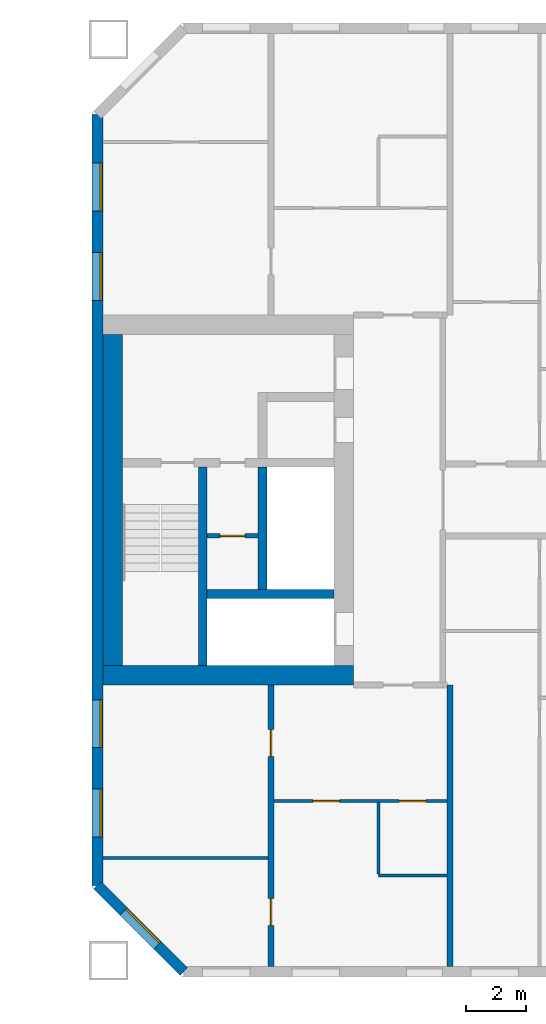
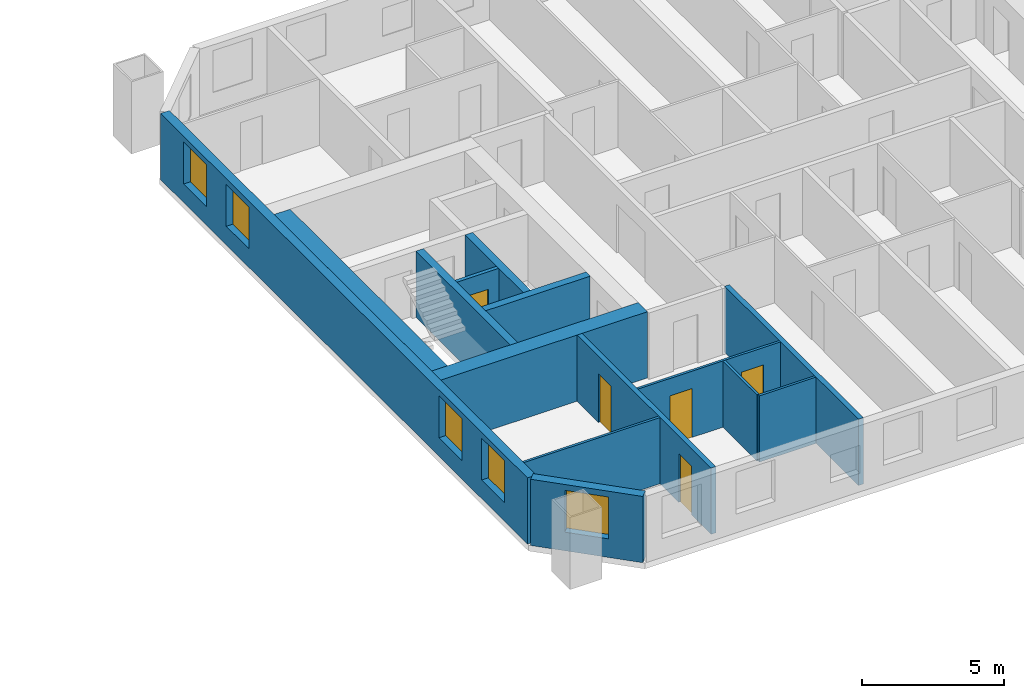
# One storey, part 9 of 17: 14 walls, 5 doors, 5 windows, 10 openings.
"""IFC4 building model written with IfcOpenShell, lengths in metres."""

from ifc_helpers import new_model, si_unit, direction, frame, frame_2d, origin, place, context, subcontext, project, spatial, rectangle, extrude, material, layer, layer_set, type_object, element, fill, save


model = new_model("IFC4")

# Units and contexts
model_context = context("Model", 3, precision=1e-05, world=origin(), true_north=direction((0.0, 1.0)))
body_context = subcontext(model_context, "Body", "Model", "MODEL_VIEW")
ifc_project = project(units=[si_unit("LENGTHUNIT", "METRE"), si_unit("AREAUNIT", "SQUARE_METRE"), si_unit("VOLUMEUNIT", "CUBIC_METRE"), si_unit("PLANEANGLEUNIT", "RADIAN"), si_unit("MASSUNIT", "GRAM", prefix="KILO")], contexts=[model_context])

# Site, building, storey
site_placement = place(None, origin())
site = spatial("IfcSite", under=ifc_project, at=site_placement, CompositionType="ELEMENT")
building_placement = place(site_placement, origin())
building = spatial("IfcBuilding", under=site, at=building_placement, Name="Tuart Gate Housing", CompositionType="ELEMENT")
storey_placement = place(building_placement, frame((0.0, 0.0, 102.60009765625)))
storey = spatial("IfcBuildingStorey", under=building, at=storey_placement, Name="L28", CompositionType="ELEMENT", Elevation=102.60009765625)

# Wall, opening, window
ifc_material_1 = material(Name="Brick", Category="masonry")
ifc_layer_1 = layer(ifc_material_1, 0.360107421875)
ifc_layer_set_1 = layer_set([ifc_layer_1], Name="Brick pier and spandrel wall 360")
wall_type_1 = type_object("IfcWallType", Name="Brick pier and spandrel wall 360", PredefinedType="STANDARD", material=ifc_layer_set_1)
wall_1_placement = place(storey_placement, frame((131.179931640625, 57.07470703125, 0.0), z_axis=(0.0, 0.0, 1.0), x_axis=(0.707106781187, -0.707106781187, 0.0)))
wall_1 = element("IfcWall", 1, at=wall_1_placement, inside=storey, type_object=wall_type_1, Name="External wall B-SW L28", PredefinedType="STANDARD", context=body_context, shape_type="SweptSolid", body=[
    extrude(rectangle(XDim=4.09375, YDim=0.360107421875, at=frame_2d((2.046875, 0.0))), origin(), (0.0, 0.0, 1.0), 2.849853515625),
])
opening_1_placement = place(wall_1_placement, frame((1.2470703125, 0.0, 0.800048828125)))
opening_1 = element("IfcOpeningElement", 2, at=opening_1_placement, cuts=wall_1, Name="Opening W1", PredefinedType="OPENING", context=body_context, shape_type="SweptSolid", body=[
    extrude(rectangle(XDim=1.60009765625, YDim=1.800048828125, at=frame_2d((0.800048828125, 0.89990234375))), frame((0.0, 0.18994140625, 0.0), z_axis=(0.0, -1.0, 0.0), x_axis=(1.0, 0.0, 0.0)), (0.0, 0.0, 1.0), 0.380126953125),
])
ifc_material_2 = material(Name="Aluminium frame with clear glass", Category="aluminium")
window_type = type_object("IfcWindowType", Name="Punched window 1600 x 1800", PartitioningType="SINGLE_PANEL", PredefinedType="WINDOW", material=ifc_material_2)
window_1_placement = place(opening_1_placement, origin())
window_1 = element("IfcWindow", 3, at=window_1_placement, inside=storey, type_object=window_type, Name="Window W1", OverallHeight=1.800048828125, OverallWidth=1.60009765625, PartitioningType="SINGLE_PANEL", PredefinedType="WINDOW", context=body_context, shape_type="SweptSolid", body=[
    extrude(rectangle(XDim=1.60009765625, YDim=1.800048828125, at=frame_2d((0.800048828125, 0.89990234375))), frame((0.0, 0.150146484375, 0.0), z_axis=(0.0, -1.0, 0.0), x_axis=(1.0, 0.0, 0.0)), (0.0, 0.0, 1.0), 0.06005859375),
])
fill(opening_1, window_1)

# Wall, openings, windows
wall_2_placement = place(storey_placement, frame((131.179931640625, 82.92529296875, 0.0), z_axis=(0.0, 0.0, 1.0), x_axis=(0.0, -1.0, 0.0)))
wall_2 = element("IfcWall", 4, at=wall_2_placement, inside=storey, type_object=wall_type_1, Name="External wall B-W L28", PredefinedType="STANDARD", context=body_context, shape_type="SweptSolid", body=[
    extrude(rectangle(XDim=25.850830078125, YDim=0.360107421875, at=frame_2d((12.92529296875, 0.0))), origin(), (0.0, 0.0, 1.0), 2.849853515625),
])
opening_2_placement = place(wall_2_placement, frame((1.62548828125, 0.0, 0.800048828125)))
opening_2 = element("IfcOpeningElement", 5, at=opening_2_placement, cuts=wall_2, Name="Opening W1", PredefinedType="OPENING", context=body_context, shape_type="SweptSolid", body=[
    extrude(rectangle(XDim=1.60009765625, YDim=1.800048828125, at=frame_2d((0.800048828125, 0.89990234375))), frame((0.0, 0.18994140625, 0.0), z_axis=(0.0, -1.0, 0.0), x_axis=(1.0, 0.0, 0.0)), (0.0, 0.0, 1.0), 0.380126953125),
])
opening_3_placement = place(wall_2_placement, frame((4.62548828125, 0.0, 0.800048828125)))
opening_3 = element("IfcOpeningElement", 6, at=opening_3_placement, cuts=wall_2, Name="Opening W1", PredefinedType="OPENING", context=body_context, shape_type="SweptSolid", body=[
    extrude(rectangle(XDim=1.60009765625, YDim=1.800048828125, at=frame_2d((0.800048828125, 0.89990234375))), frame((0.0, 0.18994140625, 0.0), z_axis=(0.0, -1.0, 0.0), x_axis=(1.0, 0.0, 0.0)), (0.0, 0.0, 1.0), 0.380126953125),
])
opening_4_placement = place(wall_2_placement, frame((19.62548828125, 0.0, 0.800048828125)))
opening_4 = element("IfcOpeningElement", 7, at=opening_4_placement, cuts=wall_2, Name="Opening W1", PredefinedType="OPENING", context=body_context, shape_type="SweptSolid", body=[
    extrude(rectangle(XDim=1.60009765625, YDim=1.800048828125, at=frame_2d((0.800048828125, 0.89990234375))), frame((0.0, 0.18994140625, 0.0), z_axis=(0.0, -1.0, 0.0), x_axis=(1.0, 0.0, 0.0)), (0.0, 0.0, 1.0), 0.380126953125),
])
opening_5_placement = place(wall_2_placement, frame((22.62548828125, 0.0, 0.800048828125)))
opening_5 = element("IfcOpeningElement", 8, at=opening_5_placement, cuts=wall_2, Name="Opening W1", PredefinedType="OPENING", context=body_context, shape_type="SweptSolid", body=[
    extrude(rectangle(XDim=1.60009765625, YDim=1.800048828125, at=frame_2d((0.800048828125, 0.89990234375))), frame((0.0, 0.18994140625, 0.0), z_axis=(0.0, -1.0, 0.0), x_axis=(1.0, 0.0, 0.0)), (0.0, 0.0, 1.0), 0.380126953125),
])
window_2_placement = place(opening_2_placement, origin())
window_2 = element("IfcWindow", 9, at=window_2_placement, inside=storey, type_object=window_type, Name="Window W1", OverallHeight=1.800048828125, OverallWidth=1.60009765625, PartitioningType="SINGLE_PANEL", PredefinedType="WINDOW", context=body_context, shape_type="SweptSolid", body=[
    extrude(rectangle(XDim=1.60009765625, YDim=1.800048828125, at=frame_2d((0.800048828125, 0.89990234375))), frame((0.0, 0.150146484375, 0.0), z_axis=(0.0, -1.0, 0.0), x_axis=(1.0, 0.0, 0.0)), (0.0, 0.0, 1.0), 0.06005859375),
])
fill(opening_2, window_2)
window_3_placement = place(opening_3_placement, origin())
window_3 = element("IfcWindow", 10, at=window_3_placement, inside=storey, type_object=window_type, Name="Window W1", OverallHeight=1.800048828125, OverallWidth=1.60009765625, PartitioningType="SINGLE_PANEL", PredefinedType="WINDOW", context=body_context, shape_type="SweptSolid", body=[
    extrude(rectangle(XDim=1.60009765625, YDim=1.800048828125, at=frame_2d((0.800048828125, 0.89990234375))), frame((0.0, 0.150146484375, 0.0), z_axis=(0.0, -1.0, 0.0), x_axis=(1.0, 0.0, 0.0)), (0.0, 0.0, 1.0), 0.06005859375),
])
fill(opening_3, window_3)
window_4_placement = place(opening_4_placement, origin())
window_4 = element("IfcWindow", 11, at=window_4_placement, inside=storey, type_object=window_type, Name="Window W1", OverallHeight=1.800048828125, OverallWidth=1.60009765625, PartitioningType="SINGLE_PANEL", PredefinedType="WINDOW", context=body_context, shape_type="SweptSolid", body=[
    extrude(rectangle(XDim=1.60009765625, YDim=1.800048828125, at=frame_2d((0.800048828125, 0.89990234375))), frame((0.0, 0.150146484375, 0.0), z_axis=(0.0, -1.0, 0.0), x_axis=(1.0, 0.0, 0.0)), (0.0, 0.0, 1.0), 0.06005859375),
])
fill(opening_4, window_4)
window_5_placement = place(opening_5_placement, origin())
window_5 = element("IfcWindow", 12, at=window_5_placement, inside=storey, type_object=window_type, Name="Window W1", OverallHeight=1.800048828125, OverallWidth=1.60009765625, PartitioningType="SINGLE_PANEL", PredefinedType="WINDOW", context=body_context, shape_type="SweptSolid", body=[
    extrude(rectangle(XDim=1.60009765625, YDim=1.800048828125, at=frame_2d((0.800048828125, 0.89990234375))), frame((0.0, 0.150146484375, 0.0), z_axis=(0.0, -1.0, 0.0), x_axis=(1.0, 0.0, 0.0)), (0.0, 0.0, 1.0), 0.06005859375),
])
fill(opening_5, window_5)

# Wall, opening, door
ifc_material_3 = material(Name="Plasterboard partition")
ifc_layer_2 = layer(ifc_material_3, 0.14990234375)
ifc_layer_set_2 = layer_set([ifc_layer_2], Name="Core partition 150")
wall_type_2 = type_object("IfcWallType", Name="Core partition 150", PredefinedType="PARTITIONING", material=ifc_layer_set_2)
wall_3_placement = place(storey_placement, frame((136.56005859375, 68.800048828125, 0.0), z_axis=(0.0, 0.0, 1.0), x_axis=(-1.0, 0.0, 0.0)))
wall_3 = element("IfcWall", 13, at=wall_3_placement, inside=storey, type_object=wall_type_2, Name="Core partition BG.2", PredefinedType="PARTITIONING", context=body_context, shape_type="SweptSolid", body=[
    extrude(rectangle(XDim=1.699951171875, YDim=0.14990234375, at=frame_2d((0.85009765625, 0.0))), origin(), (0.0, 0.0, 1.0), 2.849853515625),
])
opening_6_placement = place(wall_3_placement, frame((0.425048828125, 0.0, 0.0)))
opening_6 = element("IfcOpeningElement", 14, at=opening_6_placement, cuts=wall_3, Name="Opening D1155", PredefinedType="OPENING", context=body_context, shape_type="SweptSolid", body=[
    extrude(rectangle(XDim=0.85009765625, YDim=2.10009765625, at=frame_2d((0.425048828125, 1.050048828125))), frame((0.0, 0.0849609375, 0.0), z_axis=(0.0, -1.0, 0.0), x_axis=(1.0, 0.0, 0.0)), (0.0, 0.0, 1.0), 0.169921875),
])
ifc_material_4 = material(Name="Steel fire door", Category="steel")
door_type_1 = type_object("IfcDoorType", Name="Service door 850 x 2100 RH", OperationType="SINGLE_SWING_RIGHT", PredefinedType="DOOR", material=ifc_material_4)
door_1_placement = place(opening_6_placement, frame((0.85009765625, 0.0, 0.0), z_axis=(0.0, 0.0, 1.0), x_axis=(-1.0, 0.0, 0.0)))
door_1 = element("IfcDoor", 15, at=door_1_placement, inside=storey, type_object=door_type_1, Name="Service room door BG.W2", OperationType="SINGLE_SWING_RIGHT", OverallHeight=2.10009765625, OverallWidth=0.85009765625, PredefinedType="DOOR", context=body_context, shape_type="SweptSolid", body=[
    extrude(rectangle(XDim=0.85009765625, YDim=2.10009765625, at=frame_2d((0.425048828125, 1.050048828125))), frame((0.0, 0.025146484375, 0.0), z_axis=(0.0, -1.0, 0.0), x_axis=(1.0, 0.0, 0.0)), (0.0, 0.0, 1.0), 0.050048828125),
])
fill(opening_6, door_1)

# Walls
ifc_material_5 = material(Name="Concrete C50", Category="concrete")
ifc_layer_3 = layer(ifc_material_5, 0.300048828125)
ifc_layer_set_3 = layer_set([ifc_layer_3], Name="Core wall 300 C50")
wall_type_3 = type_object("IfcWallType", Name="Core wall 300 C50", PredefinedType="SHEAR", material=ifc_layer_set_3)
wall_4_placement = place(storey_placement, frame((139.110107421875, 66.85009765625, 0.0), z_axis=(0.0, 0.0, 1.0), x_axis=(-1.0, 0.0, 0.0)))
element("IfcWall", 16, at=wall_4_placement, inside=storey, type_object=wall_type_3, Name="Core wall BG.1", PredefinedType="SHEAR", context=body_context, shape_type="SweptSolid", body=[
    extrude(rectangle(XDim=4.25, YDim=0.300048828125, at=frame_2d((2.125, 0.0))), origin(), (0.0, 0.0, 1.0), 2.849853515625),
])
wall_5_placement = place(storey_placement, frame((136.7099609375, 67.0, 0.0), z_axis=(0.0, 0.0, 1.0), x_axis=(0.0, 1.0, 0.0)))
element("IfcWall", 17, at=wall_5_placement, inside=storey, type_object=wall_type_3, Name="Core wall BG.5", PredefinedType="SHEAR", context=body_context, shape_type="SweptSolid", body=[
    extrude(rectangle(XDim=4.10009765625, YDim=0.300048828125, at=frame_2d((2.050048828125, 0.0))), origin(), (0.0, 0.0, 1.0), 2.849853515625),
])
wall_6_placement = place(storey_placement, frame((134.7099609375, 64.449951171875, 0.0), z_axis=(0.0, 0.0, 1.0), x_axis=(0.0, 1.0, 0.0)))
element("IfcWall", 18, at=wall_6_placement, inside=storey, type_object=wall_type_3, Name="Core wall BG.7", PredefinedType="SHEAR", context=body_context, shape_type="SweptSolid", body=[
    extrude(rectangle(XDim=6.650146484375, YDim=0.300048828125, at=frame_2d((3.3251953125, 0.0))), origin(), (0.0, 0.0, 1.0), 2.849853515625),
])
ifc_material_6 = material(Name="Concrete C50", Category="concrete")
ifc_layer_4 = layer(ifc_material_6, 0.64990234375)
ifc_layer_set_4 = layer_set([ifc_layer_4], Name="Core wall 650 C50")
wall_type_4 = type_object("IfcWallType", Name="Core wall 650 C50", PredefinedType="SHEAR", material=ifc_layer_set_4)
wall_7_placement = place(storey_placement, frame((131.68505859375, 64.449951171875, 0.0), z_axis=(0.0, 0.0, 1.0), x_axis=(0.0, 1.0, 0.0)))
element("IfcWall", 19, at=wall_7_placement, inside=storey, type_object=wall_type_4, Name="Core wall BG back", PredefinedType="SHEAR", context=body_context, shape_type="SweptSolid", body=[
    extrude(rectangle(XDim=11.10009765625, YDim=0.64990234375, at=frame_2d((5.550048828125, 0.0))), origin(), (0.0, 0.0, 1.0), 2.849853515625),
])
wall_8_placement = place(storey_placement, frame((139.760009765625, 64.125, 0.0), z_axis=(0.0, 0.0, 1.0), x_axis=(-1.0, 0.0, 0.0)))
element("IfcWall", 20, at=wall_8_placement, inside=storey, type_object=wall_type_4, Name="Core wall BG south", PredefinedType="SHEAR", context=body_context, shape_type="SweptSolid", body=[
    extrude(rectangle(XDim=8.39990234375, YDim=0.64990234375, at=frame_2d((4.199951171875, 0.0))), origin(), (0.0, 0.0, 1.0), 2.849853515625),
])
ifc_material_7 = material(Name="Gypsum board on steel studs", Category="steel")
ifc_layer_5 = layer(ifc_material_7, 0.10009765625)
ifc_layer_set_5 = layer_set([ifc_layer_5], Name="Partition 100")
wall_type_5 = type_object("IfcWallType", Name="Partition 100", PredefinedType="PARTITIONING", material=ifc_layer_set_5)
wall_9_placement = place(storey_placement, frame((140.60009765625, 57.39990234375, 0.0), z_axis=(0.0, 0.0, 1.0), x_axis=(1.0, 0.0, 0.0)))
element("IfcWall", 21, at=wall_9_placement, inside=storey, type_object=wall_type_5, Name="Partition 100", PredefinedType="PARTITIONING", context=body_context, shape_type="SweptSolid", body=[
    extrude(rectangle(XDim=2.2998046875, YDim=0.10009765625, at=frame_2d((1.14990234375, 0.0))), origin(), (0.0, 0.0, 1.0), 2.849853515625),
])
wall_10_placement = place(storey_placement, frame((131.360107421875, 58.0, 0.0), z_axis=(0.0, 0.0, 1.0), x_axis=(1.0, 0.0, 0.0)))
element("IfcWall", 22, at=wall_10_placement, inside=storey, type_object=wall_type_5, Name="Partition 100", PredefinedType="PARTITIONING", context=body_context, shape_type="SweptSolid", body=[
    extrude(rectangle(XDim=5.539794921875, YDim=0.10009765625, at=frame_2d((2.77001953125, 0.0))), origin(), (0.0, 0.0, 1.0), 2.849853515625),
])

# Wall, openings, doors
wall_11_placement = place(storey_placement, frame((137.10009765625, 59.89990234375, 0.0), z_axis=(0.0, 0.0, 1.0), x_axis=(1.0, 0.0, 0.0)))
wall_11 = element("IfcWall", 23, at=wall_11_placement, inside=storey, type_object=wall_type_5, Name="Partition 100", PredefinedType="PARTITIONING", context=body_context, shape_type="SweptSolid", body=[
    extrude(rectangle(XDim=5.7998046875, YDim=0.10009765625, at=frame_2d((2.89990234375, 0.0))), origin(), (0.0, 0.0, 1.0), 2.849853515625),
])
opening_7_placement = place(wall_11_placement, frame((1.300048828125, 0.0, 0.0)))
opening_7 = element("IfcOpeningElement", 24, at=opening_7_placement, cuts=wall_11, Name="Opening D1172", PredefinedType="OPENING", context=body_context, shape_type="SweptSolid", body=[
    extrude(rectangle(XDim=0.89990234375, YDim=2.10009765625, at=frame_2d((0.449951171875, 1.050048828125))), frame((0.0, 0.06005859375, 0.0), z_axis=(0.0, -1.0, 0.0), x_axis=(1.0, 0.0, 0.0)), (0.0, 0.0, 1.0), 0.1201171875),
])
opening_8_placement = place(wall_11_placement, frame((4.199951171875, 0.0, 0.0)))
opening_8 = element("IfcOpeningElement", 25, at=opening_8_placement, cuts=wall_11, Name="Opening D1171", PredefinedType="OPENING", context=body_context, shape_type="SweptSolid", body=[
    extrude(rectangle(XDim=0.89990234375, YDim=2.10009765625, at=frame_2d((0.449951171875, 1.050048828125))), frame((0.0, 0.06005859375, 0.0), z_axis=(0.0, -1.0, 0.0), x_axis=(1.0, 0.0, 0.0)), (0.0, 0.0, 1.0), 0.1201171875),
])
ifc_material_8 = material(Name="Timber door leaf in steel frame", Category="steel")
door_type_2 = type_object("IfcDoorType", Name="Bathroom door 900 RH", OperationType="SINGLE_SWING_RIGHT", PredefinedType="DOOR", material=ifc_material_8)
door_2_placement = place(opening_8_placement, frame((0.89990234375, 0.0, 0.0), z_axis=(0.0, 0.0, 1.0), x_axis=(-1.0, 0.0, 0.0)))
door_2 = element("IfcDoor", 26, at=door_2_placement, inside=storey, type_object=door_type_2, Name="Bathroom door", OperationType="SINGLE_SWING_RIGHT", OverallHeight=2.10009765625, OverallWidth=0.89990234375, PredefinedType="DOOR", context=body_context, shape_type="SweptSolid", body=[
    extrude(rectangle(XDim=0.89990234375, YDim=2.10009765625, at=frame_2d((0.449951171875, 1.050048828125))), frame((0.0, 0.025146484375, 0.0), z_axis=(0.0, -1.0, 0.0), x_axis=(1.0, 0.0, 0.0)), (0.0, 0.0, 1.0), 0.050048828125),
])
fill(opening_8, door_2)
ifc_material_9 = material(Name="Timber door leaf in steel frame", Category="steel")
door_type_3 = type_object("IfcDoorType", Name="Internal door 900", OperationType="SINGLE_SWING_LEFT", PredefinedType="DOOR", material=ifc_material_9)
door_3_placement = place(opening_7_placement, origin())
door_3 = element("IfcDoor", 27, at=door_3_placement, inside=storey, type_object=door_type_3, Name="Internal door", OperationType="SINGLE_SWING_LEFT", OverallHeight=2.10009765625, OverallWidth=0.89990234375, PredefinedType="DOOR", context=body_context, shape_type="SweptSolid", body=[
    extrude(rectangle(XDim=0.89990234375, YDim=2.10009765625, at=frame_2d((0.449951171875, 1.050048828125))), frame((0.0, 0.02490234375, 0.0), z_axis=(0.0, -1.0, 0.0), x_axis=(1.0, 0.0, 0.0)), (0.0, 0.0, 1.0), 0.050048828125),
])
fill(opening_7, door_3)

# Wall
wall_12_placement = place(storey_placement, frame((140.60009765625, 57.449951171875, 0.0), z_axis=(0.0, 0.0, 1.0), x_axis=(0.0, 1.0, 0.0)))
element("IfcWall", 28, at=wall_12_placement, inside=storey, type_object=wall_type_5, Name="Partition 100", PredefinedType="PARTITIONING", context=body_context, shape_type="SweptSolid", body=[
    extrude(rectangle(XDim=2.400146484375, YDim=0.10009765625, at=frame_2d((1.2001953125, 0.0))), origin(), (0.0, 0.0, 1.0), 2.849853515625),
])

# Wall, openings, doors
ifc_material_10 = material(Name="Concrete C40", Category="concrete")
ifc_layer_6 = layer(ifc_material_10, 0.199951171875)
ifc_layer_set_6 = layer_set([ifc_layer_6], Name="Party wall concrete C40 200")
wall_type_6 = type_object("IfcWallType", Name="Party wall concrete C40 200", PredefinedType="SOLIDWALL", material=ifc_layer_set_6)
wall_13_placement = place(storey_placement, frame((137.0, 54.360107421875, 0.0), z_axis=(0.0, 0.0, 1.0), x_axis=(0.0, 1.0, 0.0)))
wall_13 = element("IfcWall", 29, at=wall_13_placement, inside=storey, type_object=wall_type_6, Name="Party wall concrete C40 200", PredefinedType="SOLIDWALL", context=body_context, shape_type="SweptSolid", body=[
    extrude(rectangle(XDim=9.43994140625, YDim=0.199951171875, at=frame_2d((4.719970703125, 0.0))), origin(), (0.0, 0.0, 1.0), 2.849853515625),
])
opening_9_placement = place(wall_13_placement, frame((1.3701171875, 0.0, 0.0)))
opening_9 = element("IfcOpeningElement", 30, at=opening_9_placement, cuts=wall_13, Name="Opening D1176", PredefinedType="OPENING", context=body_context, shape_type="SweptSolid", body=[
    extrude(rectangle(XDim=0.89990234375, YDim=2.10009765625, at=frame_2d((0.449951171875, 1.050048828125))), frame((0.0, 0.10986328125, 0.0), z_axis=(0.0, -1.0, 0.0), x_axis=(1.0, 0.0, 0.0)), (0.0, 0.0, 1.0), 0.219970703125),
])
opening_10_placement = place(wall_13_placement, frame((7.0400390625, 0.0, 0.0)))
opening_10 = element("IfcOpeningElement", 31, at=opening_10_placement, cuts=wall_13, Name="Opening D1177", PredefinedType="OPENING", context=body_context, shape_type="SweptSolid", body=[
    extrude(rectangle(XDim=0.89990234375, YDim=2.10009765625, at=frame_2d((0.449951171875, 1.050048828125))), frame((0.0, 0.10986328125, 0.0), z_axis=(0.0, -1.0, 0.0), x_axis=(1.0, 0.0, 0.0)), (0.0, 0.0, 1.0), 0.219970703125),
])
door_4_placement = place(opening_9_placement, origin())
door_4 = element("IfcDoor", 32, at=door_4_placement, inside=storey, type_object=door_type_3, Name="Internal door", OperationType="SINGLE_SWING_LEFT", OverallHeight=2.10009765625, OverallWidth=0.89990234375, PredefinedType="DOOR", context=body_context, shape_type="SweptSolid", body=[
    extrude(rectangle(XDim=0.89990234375, YDim=2.10009765625, at=frame_2d((0.449951171875, 1.050048828125))), frame((0.0, 0.02490234375, 0.0), z_axis=(0.0, -1.0, 0.0), x_axis=(1.0, 0.0, 0.0)), (0.0, 0.0, 1.0), 0.050048828125),
])
fill(opening_9, door_4)
ifc_material_11 = material(Name="Timber door leaf in steel frame", Category="steel")
door_type_4 = type_object("IfcDoorType", Name="Internal door 900 RH", OperationType="SINGLE_SWING_RIGHT", PredefinedType="DOOR", material=ifc_material_11)
door_5_placement = place(opening_10_placement, origin())
door_5 = element("IfcDoor", 33, at=door_5_placement, inside=storey, type_object=door_type_4, Name="Internal door", OperationType="SINGLE_SWING_RIGHT", OverallHeight=2.10009765625, OverallWidth=0.89990234375, PredefinedType="DOOR", context=body_context, shape_type="SweptSolid", body=[
    extrude(rectangle(XDim=0.89990234375, YDim=2.10009765625, at=frame_2d((0.449951171875, 1.050048828125))), frame((0.0, 0.02490234375, 0.0), z_axis=(0.0, -1.0, 0.0), x_axis=(1.0, 0.0, 0.0)), (0.0, 0.0, 1.0), 0.050048828125),
])
fill(opening_10, door_5)

# Wall
wall_14_placement = place(storey_placement, frame((143.0, 54.360107421875, 0.0), z_axis=(0.0, 0.0, 1.0), x_axis=(0.0, 1.0, 0.0)))
element("IfcWall", 34, at=wall_14_placement, inside=storey, type_object=wall_type_6, Name="Party wall concrete C40 200", PredefinedType="SOLIDWALL", context=body_context, shape_type="SweptSolid", body=[
    extrude(rectangle(XDim=9.43994140625, YDim=0.199951171875, at=frame_2d((4.719970703125, 0.0))), origin(), (0.0, 0.0, 1.0), 2.849853515625),
])

save(model, "model.ifc")
